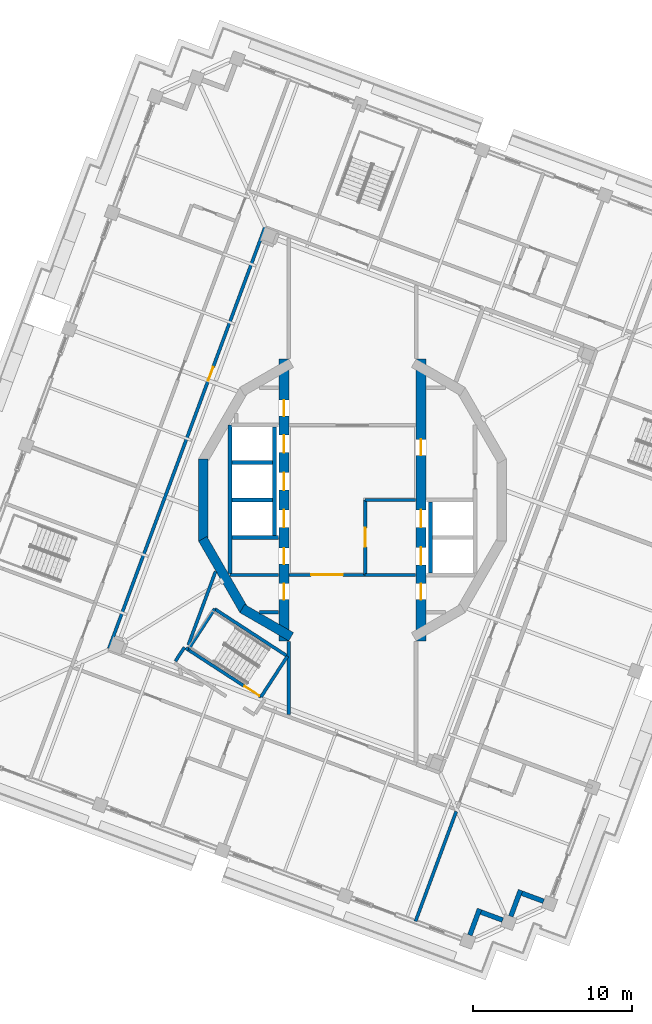
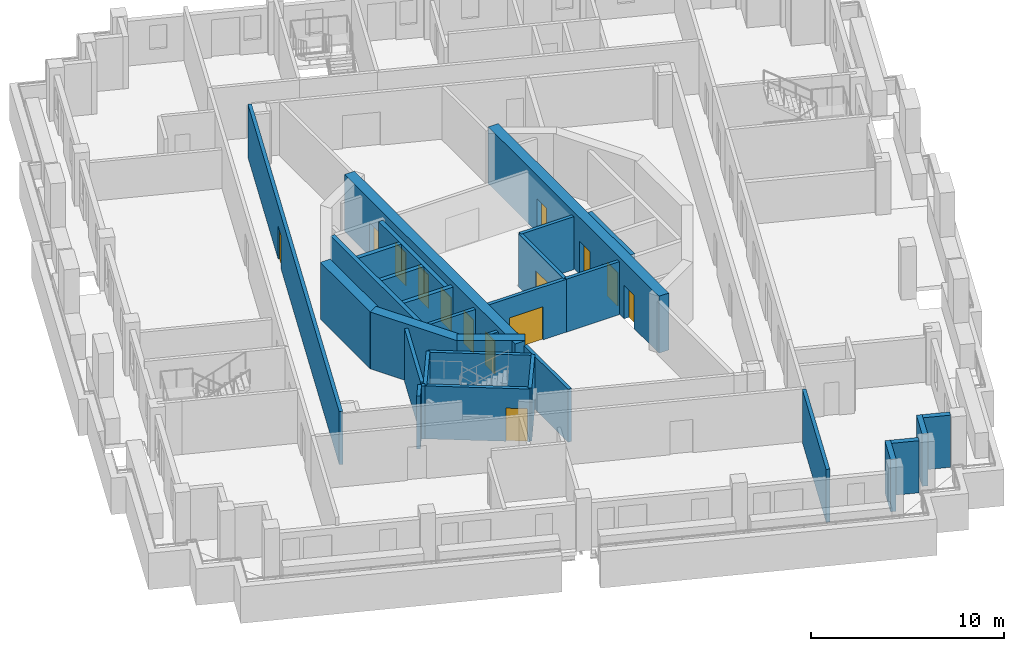
# One storey, part 5 of 18: 31 walls, 14 doors, 14 openings.
"""IFC4 building model written with IfcOpenShell, lengths in metres."""

from ifc_helpers import new_model, si_unit, direction, frame, frame_2d, origin, place, context, subcontext, project, spatial, rectangle, extrude, material, layer, layer_set, type_object, element, fill, save


model = new_model("IFC4")

# Units and contexts
model_context = context("Model", 3, precision=1e-05, world=origin(), true_north=direction((0.0, 1.0)))
body_context = subcontext(model_context, "Body", "Model", "MODEL_VIEW")
ifc_project = project(units=[si_unit("LENGTHUNIT", "METRE"), si_unit("AREAUNIT", "SQUARE_METRE"), si_unit("VOLUMEUNIT", "CUBIC_METRE"), si_unit("PLANEANGLEUNIT", "RADIAN"), si_unit("MASSUNIT", "GRAM", prefix="KILO")], contexts=[model_context])

# Site, building, storey
site_placement = place(None, origin())
site = spatial("IfcSite", under=ifc_project, at=site_placement, CompositionType="ELEMENT")
building_placement = place(site_placement, origin())
building = spatial("IfcBuilding", under=site, at=building_placement, Name="Cantera Rosa Tower", CompositionType="ELEMENT")
storey_placement = place(building_placement, frame((0.0, 0.0, 338.5)))
storey = spatial("IfcBuildingStorey", under=building, at=storey_placement, Name="L76", CompositionType="ELEMENT", Elevation=338.5)

# Walls
ifc_material_1 = material(Name="Gypsum board partition")
ifc_layer_1 = layer(ifc_material_1, 0.199951171875)
ifc_layer_set_1 = layer_set([ifc_layer_1], Name="CORRIDOR WALL 200 H3350")
wall_type_1 = type_object("IfcWallType", Name="CORRIDOR WALL 200 H3350", PredefinedType="PARTITIONING", material=ifc_layer_set_1)
wall_1_placement = place(storey_placement, frame((-10.546630859375, -9.2451171875, 0.0), z_axis=(0.0, 0.0, 1.0), x_axis=(-0.544732150362, -0.838610090782, 0.0)))
element("IfcWall", 1, at=wall_1_placement, inside=storey, type_object=wall_type_1, Name="CORRIDOR WALL L76-017", PredefinedType="PARTITIONING", context=body_context, shape_type="SweptSolid", body=[
    extrude(rectangle(XDim=1.038330078125, YDim=0.199951171875, at=frame_2d((0.51904296875, 0.0))), origin(), (0.0, 0.0, 1.0), 3.35009765625),
])
wall_2_placement = place(storey_placement, frame((-10.462646484375, -9.299560546875, 0.0), z_axis=(0.0, 0.0, 1.0), x_axis=(0.838857934668, -0.544350406856, 0.0)))
element("IfcWall", 2, at=wall_2_placement, inside=storey, type_object=wall_type_1, Name="CORRIDOR WALL L76-018", PredefinedType="PARTITIONING", context=body_context, shape_type="SweptSolid", body=[
    extrude(rectangle(XDim=0.1748046875, YDim=0.199951171875, at=frame_2d((0.08740234375, 0.0))), origin(), (0.0, 0.0, 1.0), 3.35009765625),
])

# Wall, opening, door
wall_3_placement = place(storey_placement, frame((-5.491455078125, 17.125244140625, 0.0), z_axis=(0.0, 0.0, 1.0), x_axis=(-0.347478457093, -0.937687966147, 0.0)))
wall_3 = element("IfcWall", 3, at=wall_3_placement, inside=storey, type_object=wall_type_1, Name="CORRIDOR WALL L76-039", PredefinedType="PARTITIONING", context=body_context, shape_type="SweptSolid", body=[
    extrude(rectangle(XDim=28.19970703125, YDim=0.199951171875, at=frame_2d((14.099853515625, 0.0))), origin(), (0.0, 0.0, 1.0), 3.35009765625),
])
opening_1_placement = place(wall_3_placement, frame((9.35498046875, 0.0, 0.0)))
opening_1 = element("IfcOpeningElement", 4, at=opening_1_placement, cuts=wall_3, Name="Opening L76-006", PredefinedType="OPENING", context=body_context, shape_type="SweptSolid", body=[
    extrude(rectangle(XDim=0.89990234375, YDim=2.10009765625, at=frame_2d((0.449951171875, 1.050048828125))), frame((0.0, 0.10986328125, 0.0), z_axis=(0.0, -1.0, 0.0), x_axis=(1.0, 0.0, 0.0)), (0.0, 0.0, 1.0), 0.219970703125),
])
ifc_material_2 = material(Name="Timber door leaf", Category="wood")
door_type_1 = type_object("IfcDoorType", Name="SERVICE DOOR 900x2100", OperationType="NOTDEFINED", PredefinedType="DOOR", material=ifc_material_2)
door_1_placement = place(opening_1_placement, origin())
door_1 = element("IfcDoor", 5, at=door_1_placement, inside=storey, type_object=door_type_1, Name="DOOR L76-006", OperationType="NOTDEFINED", OverallHeight=2.10009765625, OverallWidth=0.89990234375, PredefinedType="DOOR", context=body_context, shape_type="SweptSolid", body=[
    extrude(rectangle(XDim=0.89990234375, YDim=2.10009765625, at=frame_2d((0.449951171875, 1.050048828125))), frame((0.0, 0.02490234375, 0.0), z_axis=(0.0, -1.0, 0.0), x_axis=(1.0, 0.0, 0.0)), (0.0, 0.0, 1.0), 0.050048828125),
])
fill(opening_1, door_1)

# Wall
wall_4_placement = place(storey_placement, frame((-4.0, -13.468017578125, 0.0), z_axis=(0.0, 0.0, 1.0), x_axis=(0.0, 1.0, 0.0)))
element("IfcWall", 6, at=wall_4_placement, inside=storey, type_object=wall_type_1, Name="CORRIDOR WALL L76-045", PredefinedType="PARTITIONING", context=body_context, shape_type="SweptSolid", body=[
    extrude(rectangle(XDim=4.589111328125, YDim=0.199951171875, at=frame_2d((2.29443359375, 0.0))), origin(), (0.0, 0.0, 1.0), 3.35009765625),
])

# Wall, opening, door
wall_5_placement = place(storey_placement, frame((0.800048828125, -4.699951171875, 0.0), z_axis=(0.0, 0.0, 1.0), x_axis=(-1.0, 0.0, 0.0)))
wall_5 = element("IfcWall", 7, at=wall_5_placement, inside=storey, type_object=wall_type_1, Name="CORRIDOR WALL L76-051", PredefinedType="PARTITIONING", context=body_context, shape_type="SweptSolid", body=[
    extrude(rectangle(XDim=4.77001953125, YDim=0.199951171875, at=frame_2d((2.385009765625, 0.0))), origin(), (0.0, 0.0, 1.0), 3.35009765625),
])
opening_2_placement = place(wall_5_placement, frame((1.39990234375, 0.0, 0.0)))
opening_2 = element("IfcOpeningElement", 8, at=opening_2_placement, cuts=wall_5, Name="Opening L76-012", PredefinedType="OPENING", context=body_context, shape_type="SweptSolid", body=[
    extrude(rectangle(XDim=2.0, YDim=2.10009765625, at=frame_2d((1.0, 1.050048828125))), frame((0.0, 0.10986328125, 0.0), z_axis=(0.0, -1.0, 0.0), x_axis=(1.0, 0.0, 0.0)), (0.0, 0.0, 1.0), 0.219970703125),
])
ifc_material_3 = material(Name="Steel S355J2 (EN 10025-2)", Category="steel")
door_type_2 = type_object("IfcDoorType", Name="LOBBY SCREEN DOOR 2000x2100", OperationType="NOTDEFINED", PredefinedType="DOOR", material=ifc_material_3)
door_2_placement = place(opening_2_placement, origin())
door_2 = element("IfcDoor", 9, at=door_2_placement, inside=storey, type_object=door_type_2, Name="DOOR L76-012", OperationType="NOTDEFINED", OverallHeight=2.10009765625, OverallWidth=2.0, PredefinedType="DOOR", context=body_context, shape_type="SweptSolid", body=[
    extrude(rectangle(XDim=2.0, YDim=2.10009765625, at=frame_2d((1.0, 1.050048828125))), frame((0.0, 0.02490234375, 0.0), z_axis=(0.0, -1.0, 0.0), x_axis=(1.0, 0.0, 0.0)), (0.0, 0.0, 1.0), 0.050048828125),
])
fill(opening_2, door_2)

# Walls
ifc_material_4 = material(Name="Hollow clay masonry with cantera stone cladding", Category="masonry")
ifc_layer_2 = layer(ifc_material_4, 0.300048828125)
ifc_layer_set_2 = layer_set([ifc_layer_2], Name="EW-LOGGIA 300")
wall_type_2 = type_object("IfcWallType", Name="EW-LOGGIA 300", PredefinedType="SOLIDWALL", material=ifc_layer_set_2)
wall_6_placement = place(storey_placement, frame((7.36865234375, -27.312255859375, 0.0), z_axis=(0.0, 0.0, 1.0), x_axis=(0.34752790836, 0.937669639538, 0.0)))
element("IfcWall", 10, at=wall_6_placement, inside=storey, type_object=wall_type_2, Name="EN-L76-W18a", PredefinedType="SOLIDWALL", context=body_context, shape_type="SweptSolid", body=[
    extrude(rectangle(XDim=1.75, YDim=0.300048828125, at=frame_2d((0.875, 0.0))), origin(), (0.0, 0.0, 1.0), 3.300048828125),
])
wall_7_placement = place(storey_placement, frame((8.065185546875, -25.8642578125, 0.0), z_axis=(0.0, 0.0, 1.0), x_axis=(0.937671557958, -0.347522732201, 0.0)))
element("IfcWall", 11, at=wall_7_placement, inside=storey, type_object=wall_type_2, Name="EN-L76-W18b", PredefinedType="SOLIDWALL", context=body_context, shape_type="SweptSolid", body=[
    extrude(rectangle(XDim=1.449951171875, YDim=0.300048828125, at=frame_2d((0.72509765625, 0.0))), origin(), (0.0, 0.0, 1.0), 3.300048828125),
])
wall_8_placement = place(storey_placement, frame((9.93896484375, -26.132080078125, 0.0), z_axis=(0.0, 0.0, 1.0), x_axis=(0.34748245117, 0.937686486054, 0.0)))
element("IfcWall", 12, at=wall_8_placement, inside=storey, type_object=wall_type_2, Name="EN-L76-W19a", PredefinedType="SOLIDWALL", context=body_context, shape_type="SweptSolid", body=[
    extrude(rectangle(XDim=1.750244140625, YDim=0.300048828125, at=frame_2d((0.875, 0.0))), origin(), (0.0, 0.0, 1.0), 3.300048828125),
])
wall_9_placement = place(storey_placement, frame((10.635498046875, -24.683837890625, 0.0), z_axis=(0.0, 0.0, 1.0), x_axis=(0.937671557958, -0.347522732201, 0.0)))
element("IfcWall", 13, at=wall_9_placement, inside=storey, type_object=wall_type_2, Name="EN-L76-W19b", PredefinedType="SOLIDWALL", context=body_context, shape_type="SweptSolid", body=[
    extrude(rectangle(XDim=1.449951171875, YDim=0.300048828125, at=frame_2d((0.72509765625, 0.0))), origin(), (0.0, 0.0, 1.0), 3.300048828125),
])
ifc_material_5 = material(Name="Gypsum board partition")
ifc_layer_3 = layer(ifc_material_5, 0.199951171875)
ifc_layer_set_3 = layer_set([ifc_layer_3], Name="PARTITION 200 H3350")
wall_type_3 = type_object("IfcWallType", Name="PARTITION 200 H3350", PredefinedType="PARTITIONING", material=ifc_layer_set_3)
wall_10_placement = place(storey_placement, frame((-8.595703125, -4.489990234375, 0.0), z_axis=(0.0, 0.0, 1.0), x_axis=(-0.347498352147, -0.937680593408, 0.0)))
element("IfcWall", 14, at=wall_10_placement, inside=storey, type_object=wall_type_3, Name="PARTITION L76-023", PredefinedType="PARTITIONING", context=body_context, shape_type="SweptSolid", body=[
    extrude(rectangle(XDim=4.926513671875, YDim=0.199951171875, at=frame_2d((2.46337890625, 0.0))), origin(), (0.0, 0.0, 1.0), 3.35009765625),
])
wall_11_placement = place(storey_placement, frame((-7.699951171875, -4.699951171875, 0.0), z_axis=(0.0, 0.0, 1.0), x_axis=(1.0, 0.0, 0.0)))
element("IfcWall", 15, at=wall_11_placement, inside=storey, type_object=wall_type_3, Name="PARTITION L76-025", PredefinedType="PARTITIONING", context=body_context, shape_type="SweptSolid", body=[
    extrude(rectangle(XDim=3.070068359375, YDim=0.199951171875, at=frame_2d((1.53515625, 0.0))), origin(), (0.0, 0.0, 1.0), 3.35009765625),
])
wall_12_placement = place(storey_placement, frame((-4.6298828125, -7.050048828125, 0.0), z_axis=(0.0, 0.0, 1.0), x_axis=(-1.0, 0.0, 0.0)))
element("IfcWall", 16, at=wall_12_placement, inside=storey, type_object=wall_type_3, Name="PARTITION L76-042", PredefinedType="PARTITIONING", context=body_context, shape_type="SweptSolid", body=[
    extrude(rectangle(XDim=1.2177734375, YDim=0.199951171875, at=frame_2d((0.60888671875, 0.0))), origin(), (0.0, 0.0, 1.0), 3.35009765625),
])
ifc_material_6 = material(Name="Gypsum board partition")
ifc_layer_4 = layer(ifc_material_6, 0.199951171875)
ifc_layer_set_4 = layer_set([ifc_layer_4], Name="PARTY WALL 200 H3350")
wall_type_4 = type_object("IfcWallType", Name="PARTY WALL 200 H3350", PredefinedType="PARTITIONING", material=ifc_layer_set_4)
wall_13_placement = place(storey_placement, frame((3.958251953125, -26.443115234375, 0.0), z_axis=(0.0, 0.0, 1.0), x_axis=(0.347473379308, 0.937689847803, 0.0)))
element("IfcWall", 17, at=wall_13_placement, inside=storey, type_object=wall_type_4, Name="PARTY WALL L76-055", PredefinedType="PARTITIONING", context=body_context, shape_type="SweptSolid", body=[
    extrude(rectangle(XDim=7.35009765625, YDim=0.199951171875, at=frame_2d((3.675048828125, 0.0))), origin(), (0.0, 0.0, 1.0), 3.35009765625),
])
ifc_material_7 = material(Name="Concrete C50/60", Category="concrete")
ifc_layer_5 = layer(ifc_material_7, 0.60009765625)
ifc_layer_set_5 = layer_set([ifc_layer_5], Name="RC CORE WALL 600 C50/60")
wall_type_5 = type_object("IfcWallType", Name="RC CORE WALL 600 C50/60", PredefinedType="SHEAR", material=ifc_layer_set_5)
wall_14_placement = place(storey_placement, frame((-3.85009765625, -8.584228515625, 0.0), z_axis=(0.0, 0.0, 1.0), x_axis=(-0.866039982607, 0.499974747889, 0.0)))
element("IfcWall", 18, at=wall_14_placement, inside=storey, type_object=wall_type_5, Name="CW-W1 L76", PredefinedType="SHEAR", context=body_context, shape_type="SweptSolid", body=[
    extrude(rectangle(XDim=3.546142578125, YDim=0.60009765625, at=frame_2d((1.77294921875, 0.0))), origin(), (0.0, 0.0, 1.0), 3.60009765625),
])
for number, where, z_axis, x_axis, name in (
    (19, (-6.811279296875, -6.921142578125, 0.0), (0.0, 0.0, 1.0), (-0.499989188378, 0.866031645787, 0.0), "CW-W2 L76"),
    (20, (-9.359375, -2.588134765625, 0.0), (0.0, 0.0, 1.0), (0.0, 1.0, 0.0), "CW-W3 L76"),
):
    element("IfcWall", number, at=place(storey_placement, frame(where, z_axis=z_axis, x_axis=x_axis)), inside=storey, type_object=wall_type_5, Name=name, PredefinedType="SHEAR", context=body_context, shape_type="SweptSolid", body=[
        extrude(rectangle(XDim=5.17626953125, YDim=0.60009765625, at=frame_2d((2.588134765625, 0.0))), origin(), (0.0, 0.0, 1.0), 3.60009765625),
    ])

# Wall, openings, doors
wall_15_placement = place(storey_placement, frame((-4.300048828125, 8.84423828125, 0.0), z_axis=(0.0, 0.0, 1.0), x_axis=(0.0, -1.0, 0.0)))
wall_15 = element("IfcWall", 21, at=wall_15_placement, inside=storey, type_object=wall_type_5, Name="CW-W6 L76", PredefinedType="SHEAR", context=body_context, shape_type="SweptSolid", body=[
    extrude(rectangle(XDim=17.6884765625, YDim=0.60009765625, at=frame_2d((8.84423828125, 0.0))), origin(), (0.0, 0.0, 1.0), 3.60009765625),
])
opening_3_placement = place(wall_15_placement, frame((9.468994140625, 0.0, 0.0)))
opening_3 = element("IfcOpeningElement", 22, at=opening_3_placement, cuts=wall_15, Name="Opening LD-H1-L76", PredefinedType="OPENING", context=body_context, shape_type="SweptSolid", body=[
    extrude(rectangle(XDim=1.10009765625, YDim=2.10009765625, at=frame_2d((0.550048828125, 1.050048828125))), frame((0.0, 0.31005859375, 0.0), z_axis=(0.0, -1.0, 0.0), x_axis=(1.0, 0.0, 0.0)), (0.0, 0.0, 1.0), 0.6201171875),
])
opening_4_placement = place(wall_15_placement, frame((7.119140625, 0.0, 0.0)))
opening_4 = element("IfcOpeningElement", 23, at=opening_4_placement, cuts=wall_15, Name="Opening LD-H2-L76", PredefinedType="OPENING", context=body_context, shape_type="SweptSolid", body=[
    extrude(rectangle(XDim=1.10009765625, YDim=2.10009765625, at=frame_2d((0.550048828125, 1.050048828125))), frame((0.0, 0.31005859375, 0.0), z_axis=(0.0, -1.0, 0.0), x_axis=(1.0, 0.0, 0.0)), (0.0, 0.0, 1.0), 0.6201171875),
])
opening_5_placement = place(wall_15_placement, frame((4.76904296875, 0.0, 0.0)))
opening_5 = element("IfcOpeningElement", 24, at=opening_5_placement, cuts=wall_15, Name="Opening LD-H3-L76", PredefinedType="OPENING", context=body_context, shape_type="SweptSolid", body=[
    extrude(rectangle(XDim=1.10009765625, YDim=2.10009765625, at=frame_2d((0.550048828125, 1.050048828125))), frame((0.0, 0.31005859375, 0.0), z_axis=(0.0, -1.0, 0.0), x_axis=(1.0, 0.0, 0.0)), (0.0, 0.0, 1.0), 0.6201171875),
])
opening_6_placement = place(wall_15_placement, frame((14.091552734375, 0.0, 0.0)))
opening_6 = element("IfcOpeningElement", 25, at=opening_6_placement, cuts=wall_15, Name="Opening SD-L76-14", PredefinedType="OPENING", context=body_context, shape_type="SweptSolid", body=[
    extrude(rectangle(XDim=1.0, YDim=2.10009765625, at=frame_2d((0.5, 1.050048828125))), frame((0.0, 0.31005859375, 0.0), z_axis=(0.0, -1.0, 0.0), x_axis=(1.0, 0.0, 0.0)), (0.0, 0.0, 1.0), 0.6201171875),
])
opening_7_placement = place(wall_15_placement, frame((2.572265625, 0.0, 0.0)))
opening_7 = element("IfcOpeningElement", 26, at=opening_7_placement, cuts=wall_15, Name="Opening SD-L76-15", PredefinedType="OPENING", context=body_context, shape_type="SweptSolid", body=[
    extrude(rectangle(XDim=1.0, YDim=2.10009765625, at=frame_2d((0.5, 1.050048828125))), frame((0.0, 0.31005859375, 0.0), z_axis=(0.0, -1.0, 0.0), x_axis=(1.0, 0.0, 0.0)), (0.0, 0.0, 1.0), 0.6201171875),
])
opening_8_placement = place(wall_15_placement, frame((11.869140625, 0.0, 0.0)))
opening_8 = element("IfcOpeningElement", 27, at=opening_8_placement, cuts=wall_15, Name="Opening SD-L76-16", PredefinedType="OPENING", context=body_context, shape_type="SweptSolid", body=[
    extrude(rectangle(XDim=1.0, YDim=2.10009765625, at=frame_2d((0.5, 1.050048828125))), frame((0.0, 0.31005859375, 0.0), z_axis=(0.0, -1.0, 0.0), x_axis=(1.0, 0.0, 0.0)), (0.0, 0.0, 1.0), 0.6201171875),
])
ifc_material_8 = material(Name="Steel S355J2 (EN 10025-2)", Category="steel")
door_type_3 = type_object("IfcDoorType", Name="LANDING DOOR 1100x2100", OperationType="NOTDEFINED", PredefinedType="DOOR", material=ifc_material_8)
door_3_placement = place(opening_3_placement, origin())
door_3 = element("IfcDoor", 28, at=door_3_placement, inside=storey, type_object=door_type_3, Name="LANDING DOOR H1 L76", OperationType="SLIDING_TO_LEFT", OverallHeight=2.10009765625, OverallWidth=1.10009765625, PredefinedType="DOOR", context=body_context, shape_type="SweptSolid", body=[
    extrude(rectangle(XDim=1.10009765625, YDim=2.10009765625, at=frame_2d((0.550048828125, 1.050048828125))), frame((0.0, 0.02490234375, 0.0), z_axis=(0.0, -1.0, 0.0), x_axis=(1.0, 0.0, 0.0)), (0.0, 0.0, 1.0), 0.050048828125),
])
fill(opening_3, door_3)
door_4_placement = place(opening_4_placement, origin())
door_4 = element("IfcDoor", 29, at=door_4_placement, inside=storey, type_object=door_type_3, Name="LANDING DOOR H2 L76", OperationType="SLIDING_TO_LEFT", OverallHeight=2.10009765625, OverallWidth=1.10009765625, PredefinedType="DOOR", context=body_context, shape_type="SweptSolid", body=[
    extrude(rectangle(XDim=1.10009765625, YDim=2.10009765625, at=frame_2d((0.550048828125, 1.050048828125))), frame((0.0, 0.02490234375, 0.0), z_axis=(0.0, -1.0, 0.0), x_axis=(1.0, 0.0, 0.0)), (0.0, 0.0, 1.0), 0.050048828125),
])
fill(opening_4, door_4)
door_5_placement = place(opening_5_placement, origin())
door_5 = element("IfcDoor", 30, at=door_5_placement, inside=storey, type_object=door_type_3, Name="LANDING DOOR H3 L76", OperationType="SLIDING_TO_LEFT", OverallHeight=2.10009765625, OverallWidth=1.10009765625, PredefinedType="DOOR", context=body_context, shape_type="SweptSolid", body=[
    extrude(rectangle(XDim=1.10009765625, YDim=2.10009765625, at=frame_2d((0.550048828125, 1.050048828125))), frame((0.0, 0.02490234375, 0.0), z_axis=(0.0, -1.0, 0.0), x_axis=(1.0, 0.0, 0.0)), (0.0, 0.0, 1.0), 0.050048828125),
])
fill(opening_5, door_5)
ifc_material_9 = material(Name="Timber door leaf", Category="wood")
door_type_4 = type_object("IfcDoorType", Name="SERVICE DOOR 1000x2100", OperationType="NOTDEFINED", PredefinedType="DOOR", material=ifc_material_9)
door_6_placement = place(opening_6_placement, origin())
door_6 = element("IfcDoor", 31, at=door_6_placement, inside=storey, type_object=door_type_4, Name="DOOR L76-SD14", OperationType="NOTDEFINED", OverallHeight=2.10009765625, OverallWidth=1.0, PredefinedType="DOOR", context=body_context, shape_type="SweptSolid", body=[
    extrude(rectangle(XDim=1.0, YDim=2.10009765625, at=frame_2d((0.5, 1.050048828125))), frame((0.0, 0.02490234375, 0.0), z_axis=(0.0, -1.0, 0.0), x_axis=(1.0, 0.0, 0.0)), (0.0, 0.0, 1.0), 0.050048828125),
])
fill(opening_6, door_6)
door_7_placement = place(opening_7_placement, origin())
door_7 = element("IfcDoor", 32, at=door_7_placement, inside=storey, type_object=door_type_4, Name="DOOR L76-SD15", OperationType="NOTDEFINED", OverallHeight=2.10009765625, OverallWidth=1.0, PredefinedType="DOOR", context=body_context, shape_type="SweptSolid", body=[
    extrude(rectangle(XDim=1.0, YDim=2.10009765625, at=frame_2d((0.5, 1.050048828125))), frame((0.0, 0.02490234375, 0.0), z_axis=(0.0, -1.0, 0.0), x_axis=(1.0, 0.0, 0.0)), (0.0, 0.0, 1.0), 0.050048828125),
])
fill(opening_7, door_7)
door_8_placement = place(opening_8_placement, origin())
door_8 = element("IfcDoor", 33, at=door_8_placement, inside=storey, type_object=door_type_4, Name="DOOR L76-SD16", OperationType="NOTDEFINED", OverallHeight=2.10009765625, OverallWidth=1.0, PredefinedType="DOOR", context=body_context, shape_type="SweptSolid", body=[
    extrude(rectangle(XDim=1.0, YDim=2.10009765625, at=frame_2d((0.5, 1.050048828125))), frame((0.0, 0.02490234375, 0.0), z_axis=(0.0, -1.0, 0.0), x_axis=(1.0, 0.0, 0.0)), (0.0, 0.0, 1.0), 0.050048828125),
])
fill(opening_8, door_8)

wall_16_placement = place(storey_placement, frame((4.300048828125, -8.84423828125, 0.0), z_axis=(0.0, 0.0, 1.0), x_axis=(0.0, 1.0, 0.0)))
wall_16 = element("IfcWall", 34, at=wall_16_placement, inside=storey, type_object=wall_type_5, Name="CW-E6 L76", PredefinedType="SHEAR", context=body_context, shape_type="SweptSolid", body=[
    extrude(rectangle(XDim=17.6884765625, YDim=0.60009765625, at=frame_2d((8.84423828125, 0.0))), origin(), (0.0, 0.0, 1.0), 3.60009765625),
])
opening_9_placement = place(wall_16_placement, frame((4.76904296875, 0.0, 0.0)))
opening_9 = element("IfcOpeningElement", 35, at=opening_9_placement, cuts=wall_16, Name="Opening LD-FF1-L76", PredefinedType="OPENING", context=body_context, shape_type="SweptSolid", body=[
    extrude(rectangle(XDim=1.10009765625, YDim=2.10009765625, at=frame_2d((0.550048828125, 1.050048828125))), frame((0.0, 0.31005859375, 0.0), z_axis=(0.0, -1.0, 0.0), x_axis=(1.0, 0.0, 0.0)), (0.0, 0.0, 1.0), 0.6201171875),
])
opening_10_placement = place(wall_16_placement, frame((7.119140625, 0.0, 0.0)))
opening_10 = element("IfcOpeningElement", 36, at=opening_10_placement, cuts=wall_16, Name="Opening LD-FF2-L76", PredefinedType="OPENING", context=body_context, shape_type="SweptSolid", body=[
    extrude(rectangle(XDim=1.10009765625, YDim=2.10009765625, at=frame_2d((0.550048828125, 1.050048828125))), frame((0.0, 0.31005859375, 0.0), z_axis=(0.0, -1.0, 0.0), x_axis=(1.0, 0.0, 0.0)), (0.0, 0.0, 1.0), 0.6201171875),
])
opening_11_placement = place(wall_16_placement, frame((2.5966796875, 0.0, 0.0)))
opening_11 = element("IfcOpeningElement", 37, at=opening_11_placement, cuts=wall_16, Name="Opening SD-L76-17", PredefinedType="OPENING", context=body_context, shape_type="SweptSolid", body=[
    extrude(rectangle(XDim=1.0, YDim=2.10009765625, at=frame_2d((0.5, 1.050048828125))), frame((0.0, 0.31005859375, 0.0), z_axis=(0.0, -1.0, 0.0), x_axis=(1.0, 0.0, 0.0)), (0.0, 0.0, 1.0), 0.6201171875),
])
opening_12_placement = place(wall_16_placement, frame((11.6494140625, 0.0, 0.0)))
opening_12 = element("IfcOpeningElement", 38, at=opening_12_placement, cuts=wall_16, Name="Opening SD-L76-18", PredefinedType="OPENING", context=body_context, shape_type="SweptSolid", body=[
    extrude(rectangle(XDim=1.0, YDim=2.10009765625, at=frame_2d((0.5, 1.050048828125))), frame((0.0, 0.31005859375, 0.0), z_axis=(0.0, -1.0, 0.0), x_axis=(1.0, 0.0, 0.0)), (0.0, 0.0, 1.0), 0.6201171875),
])
door_9_placement = place(opening_9_placement, origin())
door_9 = element("IfcDoor", 39, at=door_9_placement, inside=storey, type_object=door_type_3, Name="LANDING DOOR FF1 L76", OperationType="SLIDING_TO_LEFT", OverallHeight=2.10009765625, OverallWidth=1.10009765625, PredefinedType="DOOR", context=body_context, shape_type="SweptSolid", body=[
    extrude(rectangle(XDim=1.10009765625, YDim=2.10009765625, at=frame_2d((0.550048828125, 1.050048828125))), frame((0.0, 0.02490234375, 0.0), z_axis=(0.0, -1.0, 0.0), x_axis=(1.0, 0.0, 0.0)), (0.0, 0.0, 1.0), 0.050048828125),
])
fill(opening_9, door_9)
door_10_placement = place(opening_10_placement, origin())
door_10 = element("IfcDoor", 40, at=door_10_placement, inside=storey, type_object=door_type_3, Name="LANDING DOOR FF2 L76", OperationType="SLIDING_TO_LEFT", OverallHeight=2.10009765625, OverallWidth=1.10009765625, PredefinedType="DOOR", context=body_context, shape_type="SweptSolid", body=[
    extrude(rectangle(XDim=1.10009765625, YDim=2.10009765625, at=frame_2d((0.550048828125, 1.050048828125))), frame((0.0, 0.02490234375, 0.0), z_axis=(0.0, -1.0, 0.0), x_axis=(1.0, 0.0, 0.0)), (0.0, 0.0, 1.0), 0.050048828125),
])
fill(opening_10, door_10)
door_11_placement = place(opening_11_placement, origin())
door_11 = element("IfcDoor", 41, at=door_11_placement, inside=storey, type_object=door_type_4, Name="DOOR L76-SD17", OperationType="NOTDEFINED", OverallHeight=2.10009765625, OverallWidth=1.0, PredefinedType="DOOR", context=body_context, shape_type="SweptSolid", body=[
    extrude(rectangle(XDim=1.0, YDim=2.10009765625, at=frame_2d((0.5, 1.050048828125))), frame((0.0, 0.02490234375, 0.0), z_axis=(0.0, -1.0, 0.0), x_axis=(1.0, 0.0, 0.0)), (0.0, 0.0, 1.0), 0.050048828125),
])
fill(opening_11, door_11)
door_12_placement = place(opening_12_placement, origin())
door_12 = element("IfcDoor", 42, at=door_12_placement, inside=storey, type_object=door_type_4, Name="DOOR L76-SD18", OperationType="NOTDEFINED", OverallHeight=2.10009765625, OverallWidth=1.0, PredefinedType="DOOR", context=body_context, shape_type="SweptSolid", body=[
    extrude(rectangle(XDim=1.0, YDim=2.10009765625, at=frame_2d((0.5, 1.050048828125))), frame((0.0, 0.02490234375, 0.0), z_axis=(0.0, -1.0, 0.0), x_axis=(1.0, 0.0, 0.0)), (0.0, 0.0, 1.0), 0.050048828125),
])
fill(opening_12, door_12)

# Walls
ifc_material_10 = material(Name="Masonry blockwork", Category="masonry")
ifc_layer_6 = layer(ifc_material_10, 0.25)
ifc_layer_set_6 = layer_set([ifc_layer_6], Name="SHAFT WALL 250 H3350")
wall_type_6 = type_object("IfcWallType", Name="SHAFT WALL 250 H3350", PredefinedType="SOLIDWALL", material=ifc_layer_set_6)
for number, where, z_axis, x_axis, name in (
    (43, (-7.574951171875, 0.0, 0.0), (0.0, 0.0, 1.0), (1.0, 0.0, 0.0), "SHAFT WALL L76-026"),
    (44, (-7.574951171875, 2.35009765625, 0.0), (0.0, 0.0, 1.0), (1.0, 0.0, 0.0), "SHAFT WALL L76-027"),
):
    element("IfcWall", number, at=place(storey_placement, frame(where, z_axis=z_axis, x_axis=x_axis)), inside=storey, type_object=wall_type_6, Name=name, PredefinedType="SOLIDWALL", context=body_context, shape_type="SweptSolid", body=[
        extrude(rectangle(XDim=2.554931640625, YDim=0.25, at=frame_2d((1.27734375, 0.0))), origin(), (0.0, 0.0, 1.0), 3.35009765625),
    ])
wall_17_placement = place(storey_placement, frame((-7.699951171875, 4.699951171875, 0.0), z_axis=(0.0, 0.0, 1.0), x_axis=(0.0, -1.0, 0.0)))
element("IfcWall", 45, at=wall_17_placement, inside=storey, type_object=wall_type_6, Name="SHAFT WALL L76-028", PredefinedType="SOLIDWALL", context=body_context, shape_type="SweptSolid", body=[
    extrude(rectangle(XDim=9.320068359375, YDim=0.25, at=frame_2d((4.66015625, 0.0))), origin(), (0.0, 0.0, 1.0), 3.35009765625),
])
wall_18_placement = place(storey_placement, frame((-4.89990234375, -2.22509765625, 0.0), z_axis=(0.0, 0.0, 1.0), x_axis=(0.0, 1.0, 0.0)))
element("IfcWall", 46, at=wall_18_placement, inside=storey, type_object=wall_type_6, Name="SHAFT WALL L76-041", PredefinedType="SOLIDWALL", context=body_context, shape_type="SweptSolid", body=[
    extrude(rectangle(XDim=6.800048828125, YDim=0.25, at=frame_2d((3.39990234375, 0.0))), origin(), (0.0, 0.0, 1.0), 3.35009765625),
])
wall_19_placement = place(storey_placement, frame((-4.6298828125, -2.35009765625, 0.0), z_axis=(0.0, 0.0, 1.0), x_axis=(-1.0, 0.0, 0.0)))
element("IfcWall", 47, at=wall_19_placement, inside=storey, type_object=wall_type_6, Name="SHAFT WALL L76-043", PredefinedType="SOLIDWALL", context=body_context, shape_type="SweptSolid", body=[
    extrude(rectangle(XDim=2.945068359375, YDim=0.25, at=frame_2d((1.47265625, 0.0))), origin(), (0.0, 0.0, 1.0), 3.35009765625),
])
wall_20_placement = place(storey_placement, frame((4.89990234375, -0.125, 0.0), z_axis=(0.0, 0.0, 1.0), x_axis=(0.0, -1.0, 0.0)))
element("IfcWall", 48, at=wall_20_placement, inside=storey, type_object=wall_type_6, Name="SHAFT WALL L76-063", PredefinedType="SOLIDWALL", context=body_context, shape_type="SweptSolid", body=[
    extrude(rectangle(XDim=4.449951171875, YDim=0.25, at=frame_2d((2.22509765625, 0.0))), origin(), (0.0, 0.0, 1.0), 3.35009765625),
])
ifc_material_11 = material(Name="Concrete C50/60", Category="concrete")
ifc_layer_7 = layer(ifc_material_11, 0.199951171875)
ifc_layer_set_7 = layer_set([ifc_layer_7], Name="STAIR WALL 200 H3350")
wall_type_7 = type_object("IfcWallType", Name="STAIR WALL 200 H3350", PredefinedType="SOLIDWALL", material=ifc_layer_set_7)
wall_21_placement = place(storey_placement, frame((-10.31591796875, -9.394775390625, 0.0), z_axis=(0.0, 0.0, 1.0), x_axis=(0.544647854685, 0.838664840319, 0.0)))
element("IfcWall", 49, at=wall_21_placement, inside=storey, type_object=wall_type_7, Name="STAIR WALL L76-020", PredefinedType="SOLIDWALL", context=body_context, shape_type="SweptSolid", body=[
    extrude(rectangle(XDim=3.0498046875, YDim=0.199951171875, at=frame_2d((1.52490234375, 0.0))), origin(), (0.0, 0.0, 1.0), 3.35009765625),
])
wall_22_placement = place(storey_placement, frame((-8.65478515625, -6.8369140625, 0.0), z_axis=(0.0, 0.0, 1.0), x_axis=(0.838674843592, -0.544632451041, 0.0)))
element("IfcWall", 50, at=wall_22_placement, inside=storey, type_object=wall_type_7, Name="STAIR WALL L76-022", PredefinedType="SOLIDWALL", context=body_context, shape_type="SweptSolid", body=[
    extrude(rectangle(XDim=5.449951171875, YDim=0.199951171875, at=frame_2d((2.72509765625, 0.0))), origin(), (0.0, 0.0, 1.0), 3.35009765625),
])

# Wall, opening, door
wall_23_placement = place(storey_placement, frame((-5.7451171875, -12.363037109375, 0.0), z_axis=(0.0, 0.0, 1.0), x_axis=(-0.838674843592, 0.544632451041, 0.0)))
wall_23 = element("IfcWall", 51, at=wall_23_placement, inside=storey, type_object=wall_type_7, Name="STAIR WALL L76-037", PredefinedType="SOLIDWALL", context=body_context, shape_type="SweptSolid", body=[
    extrude(rectangle(XDim=5.449951171875, YDim=0.199951171875, at=frame_2d((2.72509765625, 0.0))), origin(), (0.0, 0.0, 1.0), 3.35009765625),
])
opening_13_placement = place(wall_23_placement, frame((0.1298828125, 0.0, 0.0)))
opening_13 = element("IfcOpeningElement", 52, at=opening_13_placement, cuts=wall_23, Name="Opening L76-004", PredefinedType="OPENING", context=body_context, shape_type="SweptSolid", body=[
    extrude(rectangle(XDim=1.10009765625, YDim=2.10009765625, at=frame_2d((0.550048828125, 1.050048828125))), frame((0.0, 0.10986328125, 0.0), z_axis=(0.0, -1.0, 0.0), x_axis=(1.0, 0.0, 0.0)), (0.0, 0.0, 1.0), 0.219970703125),
])
ifc_material_12 = material(Name="Steel S355J2 (EN 10025-2)", Category="steel")
door_type_5 = type_object("IfcDoorType", Name="STAIR DOOR 1100x2100", OperationType="NOTDEFINED", PredefinedType="DOOR", material=ifc_material_12)
door_13_placement = place(opening_13_placement, origin())
door_13 = element("IfcDoor", 53, at=door_13_placement, inside=storey, type_object=door_type_5, Name="DOOR L76-004", OperationType="NOTDEFINED", OverallHeight=2.10009765625, OverallWidth=1.10009765625, PredefinedType="DOOR", context=body_context, shape_type="SweptSolid", body=[
    extrude(rectangle(XDim=1.10009765625, YDim=2.10009765625, at=frame_2d((0.550048828125, 1.050048828125))), frame((0.0, 0.02490234375, 0.0), z_axis=(0.0, -1.0, 0.0), x_axis=(1.0, 0.0, 0.0)), (0.0, 0.0, 1.0), 0.050048828125),
])
fill(opening_13, door_13)

# Wall
wall_24_placement = place(storey_placement, frame((-4.083984375, -9.80517578125, 0.0), z_axis=(0.0, 0.0, 1.0), x_axis=(-0.544647854685, -0.838664840319, 0.0)))
element("IfcWall", 54, at=wall_24_placement, inside=storey, type_object=wall_type_7, Name="STAIR WALL L76-044", PredefinedType="SOLIDWALL", context=body_context, shape_type="SweptSolid", body=[
    extrude(rectangle(XDim=3.0498046875, YDim=0.199951171875, at=frame_2d((1.52490234375, 0.0))), origin(), (0.0, 0.0, 1.0), 3.35009765625),
])

# Wall, opening, door
wall_25_placement = place(storey_placement, frame((0.800048828125, -4.699951171875, 0.0), z_axis=(0.0, 0.0, 1.0), x_axis=(0.0, 1.0, 0.0)))
wall_25 = element("IfcWall", 55, at=wall_25_placement, inside=storey, type_object=wall_type_7, Name="STAIR WALL L76-052", PredefinedType="SOLIDWALL", context=body_context, shape_type="SweptSolid", body=[
    extrude(rectangle(XDim=4.699951171875, YDim=0.199951171875, at=frame_2d((2.35009765625, 0.0))), origin(), (0.0, 0.0, 1.0), 3.35009765625),
])
opening_14_placement = place(wall_25_placement, frame((1.75, 0.0, 0.0)))
opening_14 = element("IfcOpeningElement", 56, at=opening_14_placement, cuts=wall_25, Name="Opening L76-013", PredefinedType="OPENING", context=body_context, shape_type="SweptSolid", body=[
    extrude(rectangle(XDim=1.199951171875, YDim=2.10009765625, at=frame_2d((0.60009765625, 1.050048828125))), frame((0.0, 0.10986328125, 0.0), z_axis=(0.0, -1.0, 0.0), x_axis=(1.0, 0.0, 0.0)), (0.0, 0.0, 1.0), 0.219970703125),
])
ifc_material_13 = material(Name="Steel S355J2 (EN 10025-2)", Category="steel")
door_type_6 = type_object("IfcDoorType", Name="FIRE DOOR 1200x2100", OperationType="NOTDEFINED", PredefinedType="DOOR", material=ifc_material_13)
door_14_placement = place(opening_14_placement, origin())
door_14 = element("IfcDoor", 57, at=door_14_placement, inside=storey, type_object=door_type_6, Name="DOOR L76-013", OperationType="NOTDEFINED", OverallHeight=2.10009765625, OverallWidth=1.199951171875, PredefinedType="DOOR", context=body_context, shape_type="SweptSolid", body=[
    extrude(rectangle(XDim=1.199951171875, YDim=2.10009765625, at=frame_2d((0.60009765625, 1.050048828125))), frame((0.0, 0.02490234375, 0.0), z_axis=(0.0, -1.0, 0.0), x_axis=(1.0, 0.0, 0.0)), (0.0, 0.0, 1.0), 0.050048828125),
])
fill(opening_14, door_14)

# Walls
for number, where, z_axis, x_axis, name in (
    (58, (0.800048828125, 0.0, 0.0), (0.0, 0.0, 1.0), (1.0, 0.0, 0.0), "STAIR WALL L76-053"),
    (59, (3.969970703125, -4.699951171875, 0.0), (0.0, 0.0, 1.0), (-1.0, 0.0, 0.0), "STAIR WALL L76-056"),
):
    element("IfcWall", number, at=place(storey_placement, frame(where, z_axis=z_axis, x_axis=x_axis)), inside=storey, type_object=wall_type_7, Name=name, PredefinedType="SOLIDWALL", context=body_context, shape_type="SweptSolid", body=[
        extrude(rectangle(XDim=3.169921875, YDim=0.199951171875, at=frame_2d((1.5849609375, 0.0))), origin(), (0.0, 0.0, 1.0), 3.35009765625),
    ])

save(model, "model.ifc")
